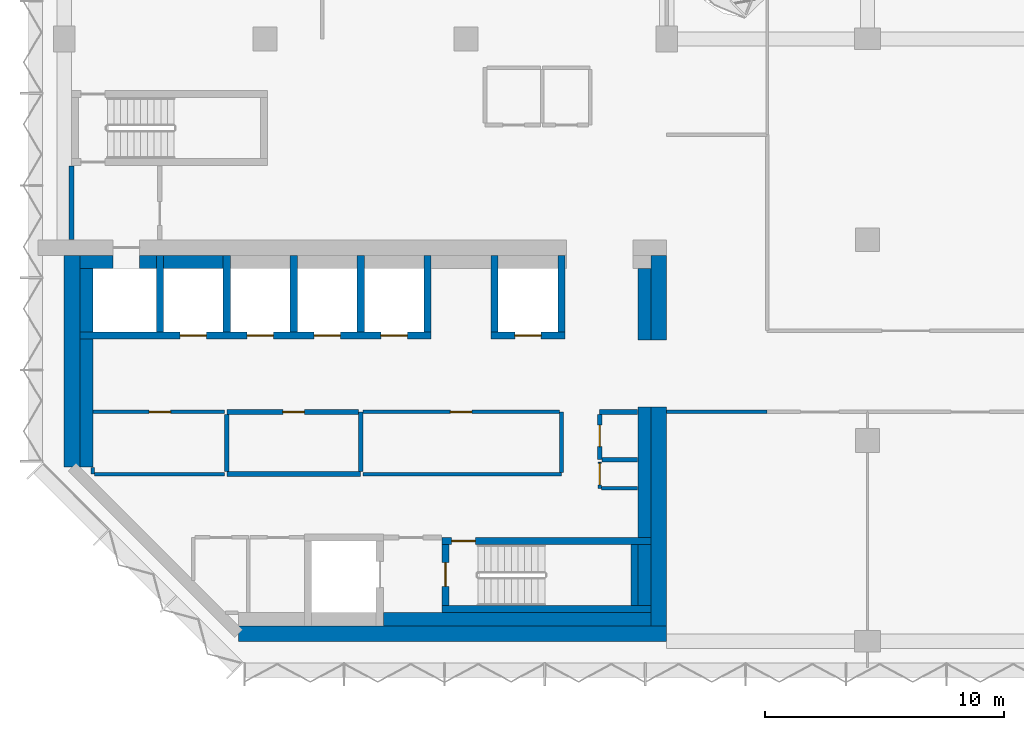
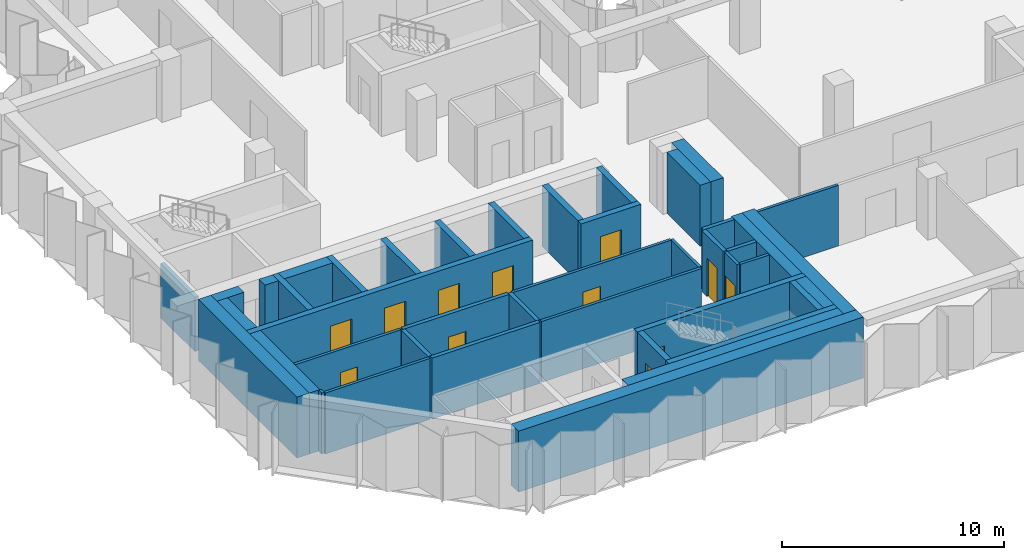
# One storey, part 8 of 14: 43 walls, 12 doors, 12 openings.
"""IFC4 building model written with IfcOpenShell, lengths in metres."""

from ifc_helpers import new_model, si_unit, direction, frame, frame_2d, origin, place, context, subcontext, project, spatial, rectangle, extrude, material, layer, layer_set, type_object, element, fill, save


model = new_model("IFC4")

# Units and contexts
model_context = context("Model", 3, precision=1e-05, world=origin(), true_north=direction((0.0, 1.0)))
body_context = subcontext(model_context, "Body", "Model", "MODEL_VIEW")
ifc_project = project(units=[si_unit("LENGTHUNIT", "METRE"), si_unit("AREAUNIT", "SQUARE_METRE"), si_unit("VOLUMEUNIT", "CUBIC_METRE"), si_unit("PLANEANGLEUNIT", "RADIAN"), si_unit("MASSUNIT", "GRAM", prefix="KILO")], contexts=[model_context])

# Site, building, storey
site_placement = place(None, origin())
site = spatial("IfcSite", under=ifc_project, at=site_placement, CompositionType="ELEMENT")
building_placement = place(site_placement, origin())
building = spatial("IfcBuilding", under=site, at=building_placement, Name="Brevane Broadcast Tower", CompositionType="ELEMENT")
storey_placement = place(building_placement, frame((0.0, 0.0, 184.800048828125)))
storey = spatial("IfcBuildingStorey", under=building, at=storey_placement, Name="L46", CompositionType="ELEMENT", Elevation=184.800048828125)

# Walls
ifc_material_1 = material(Name="Concrete C32/40", Category="concrete")
ifc_layer_1 = layer(ifc_material_1, 0.550048828125)
ifc_layer_set_1 = layer_set([ifc_layer_1], Name="Core chase wall 550 mm")
wall_type_1 = type_object("IfcWallType", Name="Core chase wall 550 mm", PredefinedType="PARTITIONING", material=ifc_layer_set_1)
wall_1_placement = place(storey_placement, frame((24.27490234375, 12.60009765625, 0.0), z_axis=(0.0, 0.0, 1.0), x_axis=(0.0, 1.0, 0.0)))
element("IfcWall", 1, at=wall_1_placement, inside=storey, type_object=wall_type_1, Name="L46 chase wall LE2", PredefinedType="PARTITIONING", context=body_context, shape_type="SweptSolid", body=[
    extrude(rectangle(XDim=3.0, YDim=0.550048828125, at=frame_2d((1.5, 0.0))), origin(), (0.0, 0.0, 1.0), 3.349853515625),
])
wall_2_placement = place(storey_placement, frame((0.64990234375, 15.875, 0.0), z_axis=(0.0, 0.0, 1.0), x_axis=(1.0, 0.0, 0.0)))
element("IfcWall", 2, at=wall_2_placement, inside=storey, type_object=wall_type_1, Name="L46 chase wall LN0", PredefinedType="PARTITIONING", context=body_context, shape_type="SweptSolid", body=[
    extrude(rectangle(XDim=1.400146484375, YDim=0.550048828125, at=frame_2d((0.7001953125, 0.0))), origin(), (0.0, 0.0, 1.0), 3.349853515625),
])
wall_3_placement = place(storey_placement, frame((0.925048828125, 7.286376953125, 0.0), z_axis=(0.0, 0.0, 1.0), x_axis=(0.0, 1.0, 0.0)))
element("IfcWall", 3, at=wall_3_placement, inside=storey, type_object=wall_type_1, Name="L46 chase wall LW-1", PredefinedType="PARTITIONING", context=body_context, shape_type="SweptSolid", body=[
    extrude(rectangle(XDim=5.363525390625, YDim=0.550048828125, at=frame_2d((2.681640625, 0.0))), origin(), (0.0, 0.0, 1.0), 3.349853515625),
])
wall_4_placement = place(storey_placement, frame((0.925048828125, 12.949951171875, 0.0), z_axis=(0.0, 0.0, 1.0), x_axis=(0.0, 1.0, 0.0)))
element("IfcWall", 4, at=wall_4_placement, inside=storey, type_object=wall_type_1, Name="L46 chase wall LW-2", PredefinedType="PARTITIONING", context=body_context, shape_type="SweptSolid", body=[
    extrude(rectangle(XDim=2.650146484375, YDim=0.550048828125, at=frame_2d((1.3251953125, 0.0))), origin(), (0.0, 0.0, 1.0), 3.349853515625),
])
wall_5_placement = place(storey_placement, frame((3.14990234375, 15.875, 0.0), z_axis=(0.0, 0.0, 1.0), x_axis=(1.0, 0.0, 0.0)))
element("IfcWall", 5, at=wall_5_placement, inside=storey, type_object=wall_type_1, Name="L46 chase wall LN1-1", PredefinedType="PARTITIONING", context=body_context, shape_type="SweptSolid", body=[
    extrude(rectangle(XDim=0.7001953125, YDim=0.550048828125, at=frame_2d((0.35009765625, 0.0))), origin(), (0.0, 0.0, 1.0), 3.349853515625),
])
wall_6_placement = place(storey_placement, frame((4.14990234375, 15.875, 0.0), z_axis=(0.0, 0.0, 1.0), x_axis=(1.0, 0.0, 0.0)))
element("IfcWall", 6, at=wall_6_placement, inside=storey, type_object=wall_type_1, Name="L46 chase wall LN1-2-1", PredefinedType="PARTITIONING", context=body_context, shape_type="SweptSolid", body=[
    extrude(rectangle(XDim=2.5, YDim=0.550048828125, at=frame_2d((1.25, 0.0))), origin(), (0.0, 0.0, 1.0), 3.349853515625),
])
wall_7_placement = place(storey_placement, frame((13.35009765625, 0.925048828125, 0.0), z_axis=(0.0, 0.0, 1.0), x_axis=(1.0, 0.0, 0.0)))
element("IfcWall", 7, at=wall_7_placement, inside=storey, type_object=wall_type_1, Name="L46 chase wall LS-2-2", PredefinedType="PARTITIONING", context=body_context, shape_type="SweptSolid", body=[
    extrude(rectangle(XDim=11.199951171875, YDim=0.550048828125, at=frame_2d((5.60009765625, 0.0))), origin(), (0.0, 0.0, 1.0), 3.349853515625),
])
wall_8_placement = place(storey_placement, frame((24.27490234375, 1.5, 0.0), z_axis=(0.0, 0.0, 1.0), x_axis=(0.0, 1.0, 0.0)))
element("IfcWall", 8, at=wall_8_placement, inside=storey, type_object=wall_type_1, Name="L46 chase wall LE1-2-1", PredefinedType="PARTITIONING", context=body_context, shape_type="SweptSolid", body=[
    extrude(rectangle(XDim=2.550048828125, YDim=0.550048828125, at=frame_2d((1.27490234375, 0.0))), origin(), (0.0, 0.0, 1.0), 3.349853515625),
])
wall_9_placement = place(storey_placement, frame((24.27490234375, 4.35009765625, 0.0), z_axis=(0.0, 0.0, 1.0), x_axis=(0.0, 1.0, 0.0)))
element("IfcWall", 9, at=wall_9_placement, inside=storey, type_object=wall_type_1, Name="L46 chase wall LE1-2-2", PredefinedType="PARTITIONING", context=body_context, shape_type="SweptSolid", body=[
    extrude(rectangle(XDim=5.449951171875, YDim=0.550048828125, at=frame_2d((2.72509765625, 0.0))), origin(), (0.0, 0.0, 1.0), 3.349853515625),
])

# Wall, opening, door
ifc_material_2 = material(Name="Gypsum board on steel studs", Category="steel")
ifc_layer_2 = layer(ifc_material_2, 0.14990234375)
ifc_layer_set_2 = layer_set([ifc_layer_2], Name="Core fire partition 150 mm")
wall_type_2 = type_object("IfcWallType", Name="Core fire partition 150 mm", PredefinedType="PARTITIONING", material=ifc_layer_set_2)
wall_10_placement = place(storey_placement, frame((6.699951171875, 9.60009765625, 0.0), z_axis=(0.0, 0.0, 1.0), x_axis=(-1.0, 0.0, 0.0)))
wall_10 = element("IfcWall", 10, at=wall_10_placement, inside=storey, type_object=wall_type_2, Name="L46 partition wall P15", PredefinedType="PARTITIONING", context=body_context, shape_type="SweptSolid", body=[
    extrude(rectangle(XDim=5.488037109375, YDim=0.14990234375, at=frame_2d((2.744140625, 0.0))), origin(), (0.0, 0.0, 1.0), 3.349853515625),
])
opening_1_placement = place(wall_10_placement, frame((2.25, 0.0, 0.0)))
opening_1 = element("IfcOpeningElement", 11, at=opening_1_placement, cuts=wall_10, Name="Opening L46-K19", PredefinedType="OPENING", context=body_context, shape_type="SweptSolid", body=[
    extrude(rectangle(XDim=0.89990234375, YDim=2.10009765625, at=frame_2d((0.449951171875, 1.050048828125))), frame((0.0, 0.0849609375, 0.0), z_axis=(0.0, -1.0, 0.0), x_axis=(1.0, 0.0, 0.0)), (0.0, 0.0, 1.0), 0.169921875),
])
ifc_material_3 = material(Name="Steel", Category="steel")
door_type_1 = type_object("IfcDoorType", Name="Service room door 900 x 2100", OperationType="SINGLE_SWING_LEFT", PredefinedType="DOOR", material=ifc_material_3)
door_1_placement = place(opening_1_placement, origin())
door_1 = element("IfcDoor", 12, at=door_1_placement, inside=storey, type_object=door_type_1, Name="Door L46-K19", OperationType="SINGLE_SWING_RIGHT", OverallHeight=2.10009765625, OverallWidth=0.89990234375, PredefinedType="DOOR", context=body_context, shape_type="SweptSolid", body=[
    extrude(rectangle(XDim=0.89990234375, YDim=2.10009765625, at=frame_2d((0.449951171875, 1.050048828125))), frame((0.0, 0.02490234375, 0.0), z_axis=(0.0, -1.0, 0.0), x_axis=(1.0, 0.0, 0.0)), (0.0, 0.0, 1.0), 0.050048828125),
])
fill(opening_1, door_1)

# Walls
wall_11_placement = place(storey_placement, frame((1.199951171875, 7.2744140625, 0.0), z_axis=(0.0, 0.0, 1.0), x_axis=(0.0, -1.0, 0.0)))
element("IfcWall", 13, at=wall_11_placement, inside=storey, type_object=wall_type_2, Name="L46 partition wall P16", PredefinedType="PARTITIONING", context=body_context, shape_type="SweptSolid", body=[
    extrude(rectangle(XDim=0.2744140625, YDim=0.14990234375, at=frame_2d((0.13720703125, 0.0))), origin(), (0.0, 0.0, 1.0), 3.349853515625),
])
wall_12_placement = place(storey_placement, frame((1.27490234375, 7.0, 0.0), z_axis=(0.0, 0.0, 1.0), x_axis=(1.0, 0.0, 0.0)))
element("IfcWall", 14, at=wall_12_placement, inside=storey, type_object=wall_type_2, Name="L46 partition wall P17", PredefinedType="PARTITIONING", context=body_context, shape_type="SweptSolid", body=[
    extrude(rectangle(XDim=5.425048828125, YDim=0.14990234375, at=frame_2d((2.71240234375, 0.0))), origin(), (0.0, 0.0, 1.0), 3.349853515625),
])
wall_13_placement = place(storey_placement, frame((12.5, 7.0, 0.0), z_axis=(0.0, 0.0, 1.0), x_axis=(1.0, 0.0, 0.0)))
element("IfcWall", 15, at=wall_13_placement, inside=storey, type_object=wall_type_2, Name="L46 partition wall P19", PredefinedType="PARTITIONING", context=body_context, shape_type="SweptSolid", body=[
    extrude(rectangle(XDim=8.300048828125, YDim=0.14990234375, at=frame_2d((4.14990234375, 0.0))), origin(), (0.0, 0.0, 1.0), 3.349853515625),
])
wall_14_placement = place(storey_placement, frame((20.800048828125, 7.074951171875, 0.0), z_axis=(0.0, 0.0, 1.0), x_axis=(0.0, 1.0, 0.0)))
element("IfcWall", 16, at=wall_14_placement, inside=storey, type_object=wall_type_2, Name="L46 partition wall P20", PredefinedType="PARTITIONING", context=body_context, shape_type="SweptSolid", body=[
    extrude(rectangle(XDim=2.525146484375, YDim=0.14990234375, at=frame_2d((1.2626953125, 0.0))), origin(), (0.0, 0.0, 1.0), 3.349853515625),
])

# Wall, opening, door
wall_15_placement = place(storey_placement, frame((20.72509765625, 9.60009765625, 0.0), z_axis=(0.0, 0.0, 1.0), x_axis=(-1.0, 0.0, 0.0)))
wall_15 = element("IfcWall", 17, at=wall_15_placement, inside=storey, type_object=wall_type_2, Name="L46 partition wall P21", PredefinedType="PARTITIONING", context=body_context, shape_type="SweptSolid", body=[
    extrude(rectangle(XDim=8.22509765625, YDim=0.14990234375, at=frame_2d((4.112548828125, 0.0))), origin(), (0.0, 0.0, 1.0), 3.349853515625),
])
opening_2_placement = place(wall_15_placement, frame((3.675048828125, 0.0, 0.0)))
opening_2 = element("IfcOpeningElement", 18, at=opening_2_placement, cuts=wall_15, Name="Opening L46-K21", PredefinedType="OPENING", context=body_context, shape_type="SweptSolid", body=[
    extrude(rectangle(XDim=0.89990234375, YDim=2.10009765625, at=frame_2d((0.449951171875, 1.050048828125))), frame((0.0, 0.0849609375, 0.0), z_axis=(0.0, -1.0, 0.0), x_axis=(1.0, 0.0, 0.0)), (0.0, 0.0, 1.0), 0.169921875),
])
door_2_placement = place(opening_2_placement, origin())
door_2 = element("IfcDoor", 19, at=door_2_placement, inside=storey, type_object=door_type_1, Name="Door L46-K21", OperationType="SINGLE_SWING_RIGHT", OverallHeight=2.10009765625, OverallWidth=0.89990234375, PredefinedType="DOOR", context=body_context, shape_type="SweptSolid", body=[
    extrude(rectangle(XDim=0.89990234375, YDim=2.10009765625, at=frame_2d((0.449951171875, 1.050048828125))), frame((0.0, 0.02490234375, 0.0), z_axis=(0.0, -1.0, 0.0), x_axis=(1.0, 0.0, 0.0)), (0.0, 0.0, 1.0), 0.050048828125),
])
fill(opening_2, door_2)

wall_16_placement = place(storey_placement, frame((22.39990234375, 7.5, 0.0), z_axis=(0.0, 0.0, 1.0), x_axis=(0.0, -1.0, 0.0)))
wall_16 = element("IfcWall", 20, at=wall_16_placement, inside=storey, type_object=wall_type_2, Name="L46 partition wall P29", PredefinedType="PARTITIONING", context=body_context, shape_type="SweptSolid", body=[
    extrude(rectangle(XDim=1.10009765625, YDim=0.14990234375, at=frame_2d((0.550048828125, 0.0))), origin(), (0.0, 0.0, 1.0), 3.349853515625),
])
opening_3_placement = place(wall_16_placement, frame((0.050048828125, 0.0, 0.0)))
opening_3 = element("IfcOpeningElement", 21, at=opening_3_placement, cuts=wall_16, Name="Opening L46-K17", PredefinedType="OPENING", context=body_context, shape_type="SweptSolid", body=[
    extrude(rectangle(XDim=0.89990234375, YDim=2.10009765625, at=frame_2d((0.449951171875, 1.050048828125))), frame((0.0, 0.0849609375, 0.0), z_axis=(0.0, -1.0, 0.0), x_axis=(1.0, 0.0, 0.0)), (0.0, 0.0, 1.0), 0.169921875),
])
door_3_placement = place(opening_3_placement, origin())
door_3 = element("IfcDoor", 22, at=door_3_placement, inside=storey, type_object=door_type_1, Name="Door L46-K17", OperationType="SINGLE_SWING_RIGHT", OverallHeight=2.10009765625, OverallWidth=0.89990234375, PredefinedType="DOOR", context=body_context, shape_type="SweptSolid", body=[
    extrude(rectangle(XDim=0.89990234375, YDim=2.10009765625, at=frame_2d((0.449951171875, 1.050048828125))), frame((0.0, 0.02490234375, 0.0), z_axis=(0.0, -1.0, 0.0), x_axis=(1.0, 0.0, 0.0)), (0.0, 0.0, 1.0), 0.050048828125),
])
fill(opening_3, door_3)

# Walls
wall_17_placement = place(storey_placement, frame((22.47509765625, 6.39990234375, 0.0), z_axis=(0.0, 0.0, 1.0), x_axis=(1.0, 0.0, 0.0)))
element("IfcWall", 23, at=wall_17_placement, inside=storey, type_object=wall_type_2, Name="L46 partition wall P30", PredefinedType="PARTITIONING", context=body_context, shape_type="SweptSolid", body=[
    extrude(rectangle(XDim=1.512939453125, YDim=0.14990234375, at=frame_2d((0.75634765625, 0.0))), origin(), (0.0, 0.0, 1.0), 3.349853515625),
])
ifc_layer_3 = layer(ifc_material_2, 0.199951171875)
ifc_layer_set_3 = layer_set([ifc_layer_3], Name="Core fire partition 200 mm")
wall_type_3 = type_object("IfcWallType", Name="Core fire partition 200 mm", PredefinedType="PARTITIONING", material=ifc_layer_set_3)
wall_18_placement = place(storey_placement, frame((0.300048828125, 16.81201171875, 0.0), z_axis=(0.0, 0.0, 1.0), x_axis=(0.0, 1.0, 0.0)))
element("IfcWall", 24, at=wall_18_placement, inside=storey, type_object=wall_type_3, Name="L46 partition wall P01", PredefinedType="PARTITIONING", context=body_context, shape_type="SweptSolid", body=[
    extrude(rectangle(XDim=3.075927734375, YDim=0.199951171875, at=frame_2d((1.5380859375, 0.0))), origin(), (0.0, 0.0, 1.0), 2.97998046875),
])
wall_19_placement = place(storey_placement, frame((23.988037109375, 9.60009765625, 0.0), z_axis=(0.0, 0.0, 1.0), x_axis=(-1.0, 0.0, 0.0)))
element("IfcWall", 25, at=wall_19_placement, inside=storey, type_object=wall_type_3, Name="L46 partition wall P04", PredefinedType="PARTITIONING", context=body_context, shape_type="SweptSolid", body=[
    extrude(rectangle(XDim=1.588134765625, YDim=0.199951171875, at=frame_2d((0.7939453125, 0.0))), origin(), (0.0, 0.0, 1.0), 3.349853515625),
])

# Wall, opening, door
wall_20_placement = place(storey_placement, frame((22.39990234375, 9.5, 0.0), z_axis=(0.0, 0.0, 1.0), x_axis=(0.0, -1.0, 0.0)))
wall_20 = element("IfcWall", 26, at=wall_20_placement, inside=storey, type_object=wall_type_3, Name="L46 partition wall P05", PredefinedType="PARTITIONING", context=body_context, shape_type="SweptSolid", body=[
    extrude(rectangle(XDim=1.89990234375, YDim=0.199951171875, at=frame_2d((0.949951171875, 0.0))), origin(), (0.0, 0.0, 1.0), 3.349853515625),
])
opening_4_placement = place(wall_20_placement, frame((0.449951171875, 0.0, 0.0)))
opening_4 = element("IfcOpeningElement", 27, at=opening_4_placement, cuts=wall_20, Name="Opening L46-K18", PredefinedType="OPENING", context=body_context, shape_type="SweptSolid", body=[
    extrude(rectangle(XDim=0.89990234375, YDim=2.10009765625, at=frame_2d((0.449951171875, 1.050048828125))), frame((0.0, 0.10986328125, 0.0), z_axis=(0.0, -1.0, 0.0), x_axis=(1.0, 0.0, 0.0)), (0.0, 0.0, 1.0), 0.219970703125),
])
door_4_placement = place(opening_4_placement, origin())
door_4 = element("IfcDoor", 28, at=door_4_placement, inside=storey, type_object=door_type_1, Name="Door L46-K18", OperationType="SINGLE_SWING_LEFT", OverallHeight=2.10009765625, OverallWidth=0.89990234375, PredefinedType="DOOR", context=body_context, shape_type="SweptSolid", body=[
    extrude(rectangle(XDim=0.89990234375, YDim=2.10009765625, at=frame_2d((0.449951171875, 1.050048828125))), frame((0.0, 0.02490234375, 0.0), z_axis=(0.0, -1.0, 0.0), x_axis=(1.0, 0.0, 0.0)), (0.0, 0.0, 1.0), 0.050048828125),
])
fill(opening_4, door_4)

# Walls
wall_21_placement = place(storey_placement, frame((22.5, 7.60009765625, 0.0), z_axis=(0.0, 0.0, 1.0), x_axis=(1.0, 0.0, 0.0)))
element("IfcWall", 29, at=wall_21_placement, inside=storey, type_object=wall_type_3, Name="L46 partition wall P06", PredefinedType="PARTITIONING", context=body_context, shape_type="SweptSolid", body=[
    extrude(rectangle(XDim=1.488037109375, YDim=0.199951171875, at=frame_2d((0.744140625, 0.0))), origin(), (0.0, 0.0, 1.0), 3.349853515625),
])
wall_22_placement = place(storey_placement, frame((6.800048828125, 7.0, 0.0), z_axis=(0.0, 0.0, 1.0), x_axis=(1.0, 0.0, 0.0)))
element("IfcWall", 30, at=wall_22_placement, inside=storey, type_object=wall_type_3, Name="L46 partition wall P07", PredefinedType="PARTITIONING", context=body_context, shape_type="SweptSolid", body=[
    extrude(rectangle(XDim=5.599853515625, YDim=0.199951171875, at=frame_2d((2.7998046875, 0.0))), origin(), (0.0, 0.0, 1.0), 3.349853515625),
])
wall_23_placement = place(storey_placement, frame((12.39990234375, 7.10009765625, 0.0), z_axis=(0.0, 0.0, 1.0), x_axis=(0.0, 1.0, 0.0)))
element("IfcWall", 31, at=wall_23_placement, inside=storey, type_object=wall_type_3, Name="L46 partition wall P08", PredefinedType="PARTITIONING", context=body_context, shape_type="SweptSolid", body=[
    extrude(rectangle(XDim=2.5, YDim=0.199951171875, at=frame_2d((1.25, 0.0))), origin(), (0.0, 0.0, 1.0), 3.349853515625),
])

# Wall, opening, door
wall_24_placement = place(storey_placement, frame((12.300048828125, 9.60009765625, 0.0), z_axis=(0.0, 0.0, 1.0), x_axis=(-1.0, 0.0, 0.0)))
wall_24 = element("IfcWall", 32, at=wall_24_placement, inside=storey, type_object=wall_type_3, Name="L46 partition wall P09", PredefinedType="PARTITIONING", context=body_context, shape_type="SweptSolid", body=[
    extrude(rectangle(XDim=5.5, YDim=0.199951171875, at=frame_2d((2.75, 0.0))), origin(), (0.0, 0.0, 1.0), 3.349853515625),
])
opening_5_placement = place(wall_24_placement, frame((2.25, 0.0, 0.0)))
opening_5 = element("IfcOpeningElement", 33, at=opening_5_placement, cuts=wall_24, Name="Opening L46-K20", PredefinedType="OPENING", context=body_context, shape_type="SweptSolid", body=[
    extrude(rectangle(XDim=0.89990234375, YDim=2.10009765625, at=frame_2d((0.449951171875, 1.050048828125))), frame((0.0, 0.10986328125, 0.0), z_axis=(0.0, -1.0, 0.0), x_axis=(1.0, 0.0, 0.0)), (0.0, 0.0, 1.0), 0.219970703125),
])
door_5_placement = place(opening_5_placement, origin())
door_5 = element("IfcDoor", 34, at=door_5_placement, inside=storey, type_object=door_type_1, Name="Door L46-K20", OperationType="SINGLE_SWING_LEFT", OverallHeight=2.10009765625, OverallWidth=0.89990234375, PredefinedType="DOOR", context=body_context, shape_type="SweptSolid", body=[
    extrude(rectangle(XDim=0.89990234375, YDim=2.10009765625, at=frame_2d((0.449951171875, 1.050048828125))), frame((0.0, 0.02490234375, 0.0), z_axis=(0.0, -1.0, 0.0), x_axis=(1.0, 0.0, 0.0)), (0.0, 0.0, 1.0), 0.050048828125),
])
fill(opening_5, door_5)

# Wall
wall_25_placement = place(storey_placement, frame((6.800048828125, 9.5, 0.0), z_axis=(0.0, 0.0, 1.0), x_axis=(0.0, -1.0, 0.0)))
element("IfcWall", 35, at=wall_25_placement, inside=storey, type_object=wall_type_3, Name="L46 partition wall P10", PredefinedType="PARTITIONING", context=body_context, shape_type="SweptSolid", body=[
    extrude(rectangle(XDim=2.39990234375, YDim=0.199951171875, at=frame_2d((1.199951171875, 0.0))), origin(), (0.0, 0.0, 1.0), 3.349853515625),
])

# Wall, openings, doors
ifc_material_4 = material(Name="Concrete C60/75", Category="concrete")
ifc_layer_4 = layer(ifc_material_4, 0.300048828125)
ifc_layer_set_4 = layer_set([ifc_layer_4], Name="Core wall 300 mm C60/75")
wall_type_4 = type_object("IfcWallType", Name="Core wall 300 mm C60/75", PredefinedType="SHEAR", material=ifc_layer_set_4)
wall_26_placement = place(storey_placement, frame((0.64990234375, 12.800048828125, 0.0), z_axis=(0.0, 0.0, 1.0), x_axis=(1.0, 0.0, 0.0)))
wall_26 = element("IfcWall", 36, at=wall_26_placement, inside=storey, type_object=wall_type_4, Name="L46 shaft wall SH-N012-front", PredefinedType="SHEAR", context=body_context, shape_type="SweptSolid", body=[
    extrude(rectangle(XDim=14.7001953125, YDim=0.300048828125, at=frame_2d((7.35009765625, 0.0))), origin(), (0.0, 0.0, 1.0), 3.349853515625),
])
opening_6_placement = place(wall_26_placement, frame((4.199951171875, 0.0, 0.0)))
opening_6 = element("IfcOpeningElement", 37, at=opening_6_placement, cuts=wall_26, Name="Opening LD", PredefinedType="OPENING", context=body_context, shape_type="SweptSolid", body=[
    extrude(rectangle(XDim=1.10009765625, YDim=2.300048828125, at=frame_2d((0.550048828125, 1.14990234375))), frame((0.0, 0.159912109375, 0.0), z_axis=(0.0, -1.0, 0.0), x_axis=(1.0, 0.0, 0.0)), (0.0, 0.0, 1.0), 0.320068359375),
])
opening_7_placement = place(wall_26_placement, frame((7.0, 0.0, 0.0)))
opening_7 = element("IfcOpeningElement", 38, at=opening_7_placement, cuts=wall_26, Name="Opening LD", PredefinedType="OPENING", context=body_context, shape_type="SweptSolid", body=[
    extrude(rectangle(XDim=1.10009765625, YDim=2.300048828125, at=frame_2d((0.550048828125, 1.14990234375))), frame((0.0, 0.159912109375, 0.0), z_axis=(0.0, -1.0, 0.0), x_axis=(1.0, 0.0, 0.0)), (0.0, 0.0, 1.0), 0.320068359375),
])
opening_8_placement = place(wall_26_placement, frame((9.800048828125, 0.0, 0.0)))
opening_8 = element("IfcOpeningElement", 39, at=opening_8_placement, cuts=wall_26, Name="Opening LD", PredefinedType="OPENING", context=body_context, shape_type="SweptSolid", body=[
    extrude(rectangle(XDim=1.10009765625, YDim=2.300048828125, at=frame_2d((0.550048828125, 1.14990234375))), frame((0.0, 0.159912109375, 0.0), z_axis=(0.0, -1.0, 0.0), x_axis=(1.0, 0.0, 0.0)), (0.0, 0.0, 1.0), 0.320068359375),
])
opening_9_placement = place(wall_26_placement, frame((12.60009765625, 0.0, 0.0)))
opening_9 = element("IfcOpeningElement", 40, at=opening_9_placement, cuts=wall_26, Name="Opening LD", PredefinedType="OPENING", context=body_context, shape_type="SweptSolid", body=[
    extrude(rectangle(XDim=1.10009765625, YDim=2.300048828125, at=frame_2d((0.550048828125, 1.14990234375))), frame((0.0, 0.159912109375, 0.0), z_axis=(0.0, -1.0, 0.0), x_axis=(1.0, 0.0, 0.0)), (0.0, 0.0, 1.0), 0.320068359375),
])
ifc_material_5 = material(Name="Stainless steel", Category="steel")
door_type_2 = type_object("IfcDoorType", Name="Lift landing door", OperationType="SLIDING_TO_LEFT", PredefinedType="DOOR", material=ifc_material_5)
door_6_placement = place(opening_6_placement, origin())
door_6 = element("IfcDoor", 41, at=door_6_placement, inside=storey, type_object=door_type_2, Name="Landing door HR1 L46", OperationType="SLIDING_TO_LEFT", OverallHeight=2.300048828125, OverallWidth=1.10009765625, PredefinedType="DOOR", context=body_context, shape_type="SweptSolid", body=[
    extrude(rectangle(XDim=1.10009765625, YDim=2.300048828125, at=frame_2d((0.550048828125, 1.14990234375))), frame((0.0, 0.02490234375, 0.0), z_axis=(0.0, -1.0, 0.0), x_axis=(1.0, 0.0, 0.0)), (0.0, 0.0, 1.0), 0.050048828125),
])
fill(opening_6, door_6)
door_7_placement = place(opening_7_placement, origin())
door_7 = element("IfcDoor", 42, at=door_7_placement, inside=storey, type_object=door_type_2, Name="Landing door HR2 L46", OperationType="SLIDING_TO_LEFT", OverallHeight=2.300048828125, OverallWidth=1.10009765625, PredefinedType="DOOR", context=body_context, shape_type="SweptSolid", body=[
    extrude(rectangle(XDim=1.10009765625, YDim=2.300048828125, at=frame_2d((0.550048828125, 1.14990234375))), frame((0.0, 0.02490234375, 0.0), z_axis=(0.0, -1.0, 0.0), x_axis=(1.0, 0.0, 0.0)), (0.0, 0.0, 1.0), 0.050048828125),
])
fill(opening_7, door_7)
door_8_placement = place(opening_8_placement, origin())
door_8 = element("IfcDoor", 43, at=door_8_placement, inside=storey, type_object=door_type_2, Name="Landing door HR3 L46", OperationType="SLIDING_TO_LEFT", OverallHeight=2.300048828125, OverallWidth=1.10009765625, PredefinedType="DOOR", context=body_context, shape_type="SweptSolid", body=[
    extrude(rectangle(XDim=1.10009765625, YDim=2.300048828125, at=frame_2d((0.550048828125, 1.14990234375))), frame((0.0, 0.02490234375, 0.0), z_axis=(0.0, -1.0, 0.0), x_axis=(1.0, 0.0, 0.0)), (0.0, 0.0, 1.0), 0.050048828125),
])
fill(opening_8, door_8)
door_9_placement = place(opening_9_placement, origin())
door_9 = element("IfcDoor", 44, at=door_9_placement, inside=storey, type_object=door_type_2, Name="Landing door HR4 L46", OperationType="SLIDING_TO_LEFT", OverallHeight=2.300048828125, OverallWidth=1.10009765625, PredefinedType="DOOR", context=body_context, shape_type="SweptSolid", body=[
    extrude(rectangle(XDim=1.10009765625, YDim=2.300048828125, at=frame_2d((0.550048828125, 1.14990234375))), frame((0.0, 0.02490234375, 0.0), z_axis=(0.0, -1.0, 0.0), x_axis=(1.0, 0.0, 0.0)), (0.0, 0.0, 1.0), 0.050048828125),
])
fill(opening_9, door_9)

# Walls
for number, where, z_axis, x_axis, name in (
    (45, (4.0, 12.949951171875, 0.0), (0.0, 0.0, 1.0), (0.0, 1.0, 0.0), "L46 shaft wall SH-N-P040"),
    (46, (6.800048828125, 12.949951171875, 0.0), (0.0, 0.0, 1.0), (0.0, 1.0, 0.0), "L46 shaft wall SH-N-P068"),
    (47, (9.60009765625, 12.949951171875, 0.0), (0.0, 0.0, 1.0), (0.0, 1.0, 0.0), "L46 shaft wall SH-N-P096"),
    (48, (12.39990234375, 12.949951171875, 0.0), (0.0, 0.0, 1.0), (0.0, 1.0, 0.0), "L46 shaft wall SH-N-P124"),
    (49, (15.199951171875, 12.949951171875, 0.0), (0.0, 0.0, 1.0), (0.0, 1.0, 0.0), "L46 shaft wall SH-N-P152"),
):
    element("IfcWall", number, at=place(storey_placement, frame(where, z_axis=z_axis, x_axis=x_axis)), inside=storey, type_object=wall_type_4, Name=name, PredefinedType="SHEAR", context=body_context, shape_type="SweptSolid", body=[
        extrude(rectangle(XDim=3.199951171875, YDim=0.300048828125, at=frame_2d((1.60009765625, 0.0))), origin(), (0.0, 0.0, 1.0), 3.349853515625),
    ])

# Wall, opening, door
wall_27_placement = place(storey_placement, frame((17.85009765625, 12.800048828125, 0.0), z_axis=(0.0, 0.0, 1.0), x_axis=(1.0, 0.0, 0.0)))
wall_27 = element("IfcWall", 50, at=wall_27_placement, inside=storey, type_object=wall_type_4, Name="L46 shaft wall SH-N180-front", PredefinedType="SHEAR", context=body_context, shape_type="SweptSolid", body=[
    extrude(rectangle(XDim=3.099853515625, YDim=0.300048828125, at=frame_2d((1.5498046875, 0.0))), origin(), (0.0, 0.0, 1.0), 3.349853515625),
])
opening_10_placement = place(wall_27_placement, frame((1.0, 0.0, 0.0)))
opening_10 = element("IfcOpeningElement", 51, at=opening_10_placement, cuts=wall_27, Name="Opening LD", PredefinedType="OPENING", context=body_context, shape_type="SweptSolid", body=[
    extrude(rectangle(XDim=1.10009765625, YDim=2.300048828125, at=frame_2d((0.550048828125, 1.14990234375))), frame((0.0, 0.159912109375, 0.0), z_axis=(0.0, -1.0, 0.0), x_axis=(1.0, 0.0, 0.0)), (0.0, 0.0, 1.0), 0.320068359375),
])
door_10_placement = place(opening_10_placement, origin())
door_10 = element("IfcDoor", 52, at=door_10_placement, inside=storey, type_object=door_type_2, Name="Landing door SL1 L46", OperationType="SLIDING_TO_LEFT", OverallHeight=2.300048828125, OverallWidth=1.10009765625, PredefinedType="DOOR", context=body_context, shape_type="SweptSolid", body=[
    extrude(rectangle(XDim=1.10009765625, YDim=2.300048828125, at=frame_2d((0.550048828125, 1.14990234375))), frame((0.0, 0.02490234375, 0.0), z_axis=(0.0, -1.0, 0.0), x_axis=(1.0, 0.0, 0.0)), (0.0, 0.0, 1.0), 0.050048828125),
])
fill(opening_10, door_10)

# Walls
for number, where, z_axis, x_axis, name in (
    (53, (18.0, 12.949951171875, 0.0), (0.0, 0.0, 1.0), (0.0, 1.0, 0.0), "L46 shaft wall SH-N-P180"),
    (54, (20.800048828125, 12.949951171875, 0.0), (0.0, 0.0, 1.0), (0.0, 1.0, 0.0), "L46 shaft wall SH-N-P208"),
):
    element("IfcWall", number, at=place(storey_placement, frame(where, z_axis=z_axis, x_axis=x_axis)), inside=storey, type_object=wall_type_4, Name=name, PredefinedType="SHEAR", context=body_context, shape_type="SweptSolid", body=[
        extrude(rectangle(XDim=3.199951171875, YDim=0.300048828125, at=frame_2d((1.60009765625, 0.0))), origin(), (0.0, 0.0, 1.0), 3.349853515625),
    ])
wall_28_placement = place(storey_placement, frame((15.800048828125, 1.35009765625, 0.0), z_axis=(0.0, 0.0, 1.0), x_axis=(1.0, 0.0, 0.0)))
element("IfcWall", 55, at=wall_28_placement, inside=storey, type_object=wall_type_4, Name="L46 stair wall ST-2-S", PredefinedType="SHEAR", context=body_context, shape_type="SweptSolid", body=[
    extrude(rectangle(XDim=8.75, YDim=0.300048828125, at=frame_2d((4.375, 0.0))), origin(), (0.0, 0.0, 1.0), 3.349853515625),
])

# Wall, opening, door
wall_29_placement = place(storey_placement, frame((15.800048828125, 4.199951171875, 0.0), z_axis=(0.0, 0.0, 1.0), x_axis=(1.0, 0.0, 0.0)))
wall_29 = element("IfcWall", 56, at=wall_29_placement, inside=storey, type_object=wall_type_4, Name="L46 stair wall ST-2-N", PredefinedType="SHEAR", context=body_context, shape_type="SweptSolid", body=[
    extrude(rectangle(XDim=8.75, YDim=0.300048828125, at=frame_2d((4.375, 0.0))), origin(), (0.0, 0.0, 1.0), 3.349853515625),
])
opening_11_placement = place(wall_29_placement, frame((0.39990234375, 0.0, 0.0)))
opening_11 = element("IfcOpeningElement", 57, at=opening_11_placement, cuts=wall_29, Name="Opening L46-K11", PredefinedType="OPENING", context=body_context, shape_type="SweptSolid", body=[
    extrude(rectangle(XDim=1.0, YDim=2.10009765625, at=frame_2d((0.5, 1.050048828125))), frame((0.0, 0.159912109375, 0.0), z_axis=(0.0, -1.0, 0.0), x_axis=(1.0, 0.0, 0.0)), (0.0, 0.0, 1.0), 0.320068359375),
])
door_type_3 = type_object("IfcDoorType", Name="Stair door 1000 x 2100", OperationType="SINGLE_SWING_LEFT", PredefinedType="DOOR", material=ifc_material_3)
door_11_placement = place(opening_11_placement, origin())
door_11 = element("IfcDoor", 58, at=door_11_placement, inside=storey, type_object=door_type_3, Name="Door L46-K11", OperationType="SINGLE_SWING_RIGHT", OverallHeight=2.10009765625, OverallWidth=1.0, PredefinedType="DOOR", context=body_context, shape_type="SweptSolid", body=[
    extrude(rectangle(XDim=1.0, YDim=2.10009765625, at=frame_2d((0.5, 1.050048828125))), frame((0.0, 0.02490234375, 0.0), z_axis=(0.0, -1.0, 0.0), x_axis=(1.0, 0.0, 0.0)), (0.0, 0.0, 1.0), 0.050048828125),
])
fill(opening_11, door_11)

wall_30_placement = place(storey_placement, frame((15.949951171875, 1.5, 0.0), z_axis=(0.0, 0.0, 1.0), x_axis=(0.0, 1.0, 0.0)))
wall_30 = element("IfcWall", 59, at=wall_30_placement, inside=storey, type_object=wall_type_4, Name="L46 stair wall ST-2-W", PredefinedType="SHEAR", context=body_context, shape_type="SweptSolid", body=[
    extrude(rectangle(XDim=2.550048828125, YDim=0.300048828125, at=frame_2d((1.27490234375, 0.0))), origin(), (0.0, 0.0, 1.0), 3.349853515625),
])
opening_12_placement = place(wall_30_placement, frame((0.800048828125, 0.0, 0.0)))
opening_12 = element("IfcOpeningElement", 60, at=opening_12_placement, cuts=wall_30, Name="Opening L46-K10", PredefinedType="OPENING", context=body_context, shape_type="SweptSolid", body=[
    extrude(rectangle(XDim=1.0, YDim=2.10009765625, at=frame_2d((0.5, 1.050048828125))), frame((0.0, 0.159912109375, 0.0), z_axis=(0.0, -1.0, 0.0), x_axis=(1.0, 0.0, 0.0)), (0.0, 0.0, 1.0), 0.320068359375),
])
door_12_placement = place(opening_12_placement, origin())
door_12 = element("IfcDoor", 61, at=door_12_placement, inside=storey, type_object=door_type_3, Name="Door L46-K10", OperationType="SINGLE_SWING_LEFT", OverallHeight=2.10009765625, OverallWidth=1.0, PredefinedType="DOOR", context=body_context, shape_type="SweptSolid", body=[
    extrude(rectangle(XDim=1.0, YDim=2.10009765625, at=frame_2d((0.5, 1.050048828125))), frame((0.0, 0.02490234375, 0.0), z_axis=(0.0, -1.0, 0.0), x_axis=(1.0, 0.0, 0.0)), (0.0, 0.0, 1.0), 0.050048828125),
])
fill(opening_12, door_12)

# Walls
wall_31_placement = place(storey_placement, frame((23.85009765625, 1.5, 0.0), z_axis=(0.0, 0.0, 1.0), x_axis=(0.0, 1.0, 0.0)))
element("IfcWall", 62, at=wall_31_placement, inside=storey, type_object=wall_type_4, Name="L46 stair wall ST-2-E", PredefinedType="SHEAR", context=body_context, shape_type="SweptSolid", body=[
    extrude(rectangle(XDim=2.550048828125, YDim=0.300048828125, at=frame_2d((1.27490234375, 0.0))), origin(), (0.0, 0.0, 1.0), 3.349853515625),
])
ifc_layer_5 = layer(ifc_material_4, 0.64990234375)
ifc_layer_set_5 = layer_set([ifc_layer_5], Name="Core wall 650 mm C60/75")
wall_type_5 = type_object("IfcWallType", Name="Core wall 650 mm C60/75", PredefinedType="SHEAR", material=ifc_layer_set_5)
wall_32_placement = place(storey_placement, frame((7.286376953125, 0.324951171875, 0.0), z_axis=(0.0, 0.0, 1.0), x_axis=(1.0, 0.0, 0.0)))
element("IfcWall", 63, at=wall_32_placement, inside=storey, type_object=wall_type_5, Name="L46 outer wall WS", PredefinedType="SHEAR", context=body_context, shape_type="SweptSolid", body=[
    extrude(rectangle(XDim=17.91357421875, YDim=0.64990234375, at=frame_2d((8.956787109375, 0.0))), origin(), (0.0, 0.0, 1.0), 3.349853515625),
])
wall_33_placement = place(storey_placement, frame((0.324951171875, 7.286376953125, 0.0), z_axis=(0.0, 0.0, 1.0), x_axis=(0.0, 1.0, 0.0)))
element("IfcWall", 64, at=wall_33_placement, inside=storey, type_object=wall_type_5, Name="L46 outer wall WW", PredefinedType="SHEAR", context=body_context, shape_type="SweptSolid", body=[
    extrude(rectangle(XDim=8.863525390625, YDim=0.64990234375, at=frame_2d((4.431640625, 0.0))), origin(), (0.0, 0.0, 1.0), 3.349853515625),
])
wall_34_placement = place(storey_placement, frame((24.875, 0.64990234375, 0.0), z_axis=(0.0, 0.0, 1.0), x_axis=(0.0, 1.0, 0.0)))
element("IfcWall", 65, at=wall_34_placement, inside=storey, type_object=wall_type_5, Name="L46 outer wall WE1", PredefinedType="SHEAR", context=body_context, shape_type="SweptSolid", body=[
    extrude(rectangle(XDim=9.150146484375, YDim=0.64990234375, at=frame_2d((4.5751953125, 0.0))), origin(), (0.0, 0.0, 1.0), 3.349853515625),
])
wall_35_placement = place(storey_placement, frame((24.875, 12.60009765625, 0.0), z_axis=(0.0, 0.0, 1.0), x_axis=(0.0, 1.0, 0.0)))
element("IfcWall", 66, at=wall_35_placement, inside=storey, type_object=wall_type_5, Name="L46 outer wall WE2", PredefinedType="SHEAR", context=body_context, shape_type="SweptSolid", body=[
    extrude(rectangle(XDim=3.5498046875, YDim=0.64990234375, at=frame_2d((1.77490234375, 0.0))), origin(), (0.0, 0.0, 1.0), 3.349853515625),
])
ifc_material_6 = material(Name="Gypsum board partition")
ifc_layer_6 = layer(ifc_material_6, 0.14990234375)
ifc_layer_set_6 = layer_set([ifc_layer_6], Name="PARTITION 150 EI 60")
wall_type_6 = type_object("IfcWallType", Name="PARTITION 150 EI 60", PredefinedType="PARTITIONING", material=ifc_layer_set_6)
wall_36_placement = place(storey_placement, frame((29.39990234375, 9.60009765625, 0.0), z_axis=(0.0, 0.0, 1.0), x_axis=(-1.0, 0.0, 0.0)))
element("IfcWall", 67, at=wall_36_placement, inside=storey, type_object=wall_type_6, Name="Partition G14-002", PredefinedType="PARTITIONING", context=body_context, shape_type="SweptSolid", body=[
    extrude(rectangle(XDim=4.199951171875, YDim=0.14990234375, at=frame_2d((2.10009765625, 0.0))), origin(), (0.0, 0.0, 1.0), 3.329833984375),
])

save(model, "model.ifc")
